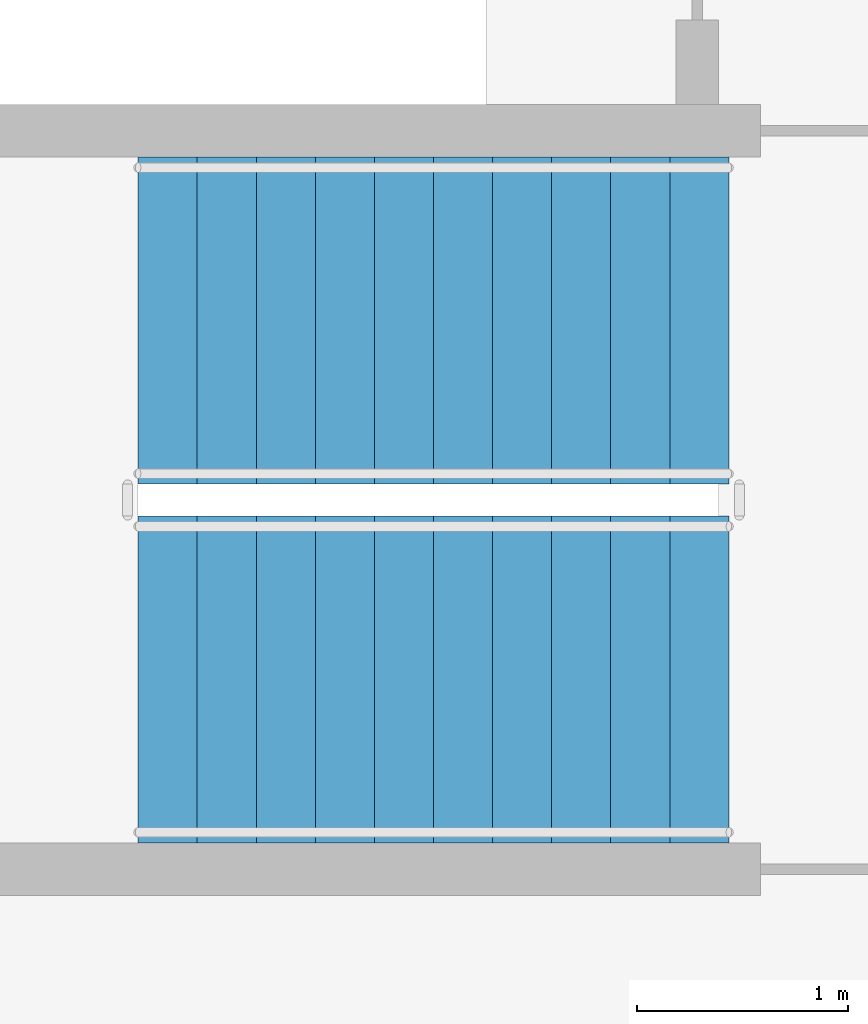
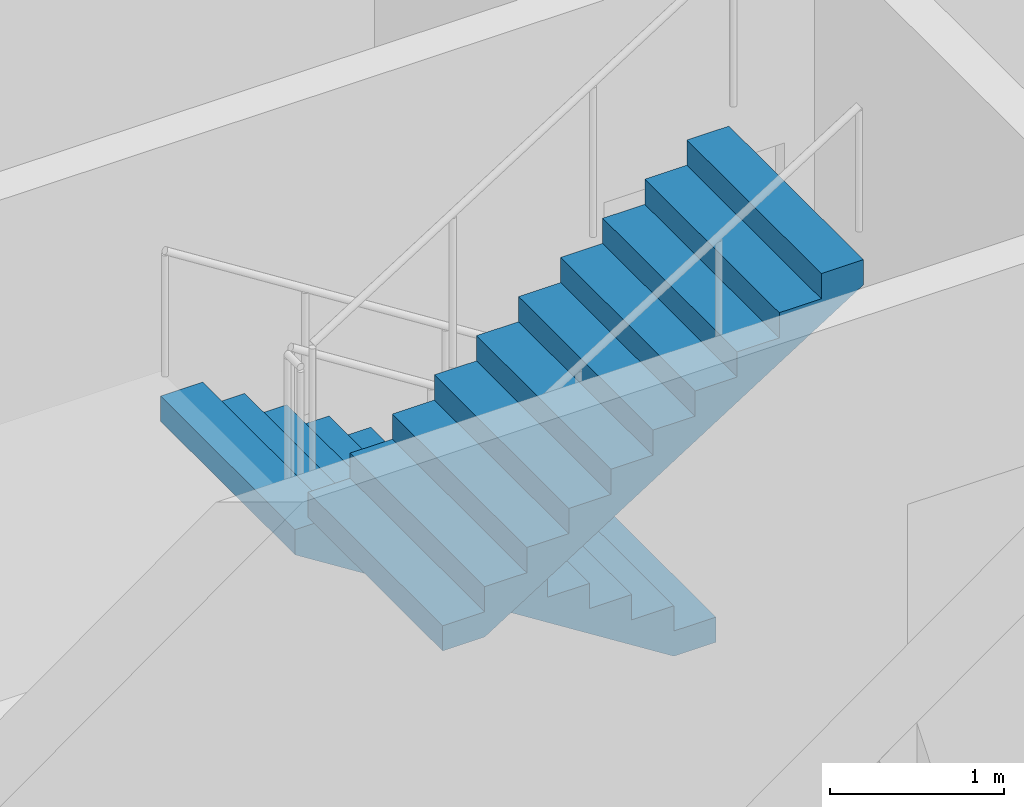
# One storey, part 9 of 14: 2 stair flights, 1 element without a shape of its own.
"""IFC4 building model written with IfcOpenShell, lengths in metres."""

import ifcopenshell
import ifcopenshell.guid

model = None  # the IFC model being written
_history = None  # IfcOwnerHistory: only IFC2X3 demands one
_inside = {}  # id of a spatial element -> (the spatial element, [elements in it])
_under = {}  # id of a project, library or spatial element -> (it, [spatial elements below it])
_declared = {}  # id of a project -> (the project, [libraries it declares])
_typed = {}  # id of a type object -> (the type object, [elements of that type])
_made_of = {}  # id of a material, layer set ... -> (it, [elements and type objects made of it])


def new_model(schema):
    """Start an empty IFC model of exactly this schema.

    Asked for "IFC4X3", IfcOpenShell would pick the latest addendum, in which some entities
    have other attributes; the version numbers below select the first issue.
    IFC2X3 requires an IfcOwnerHistory on every rooted entity: one is made here for all.
    """
    global model, _history
    if schema == "IFC4X3":
        model = ifcopenshell.file(schema_version=(4, 3, 0, 0))
    else:
        model = ifcopenshell.file(schema=schema)
    _inside.clear()
    _under.clear()
    _declared.clear()
    _typed.clear()
    _made_of.clear()
    _history = None
    if model.schema == "IFC2X3":
        org = make("IfcOrganization", Name="unknown")
        user = make(
            "IfcPersonAndOrganization",
            ThePerson=make("IfcPerson", FamilyName="unknown"),
            TheOrganization=org,
        )
        app = make(
            "IfcApplication",
            ApplicationDeveloper=org,
            Version="unknown",
            ApplicationFullName="unknown",
            ApplicationIdentifier="unknown",
        )
        _history = make(
            "IfcOwnerHistory",
            OwningUser=user,
            OwningApplication=app,
            ChangeAction="ADDED",
            CreationDate=0,
        )
    return model


def make(cls, **values):
    """One entity of the class cls with the attributes given. An attribute that is None is left unset."""
    return model.create_entity(
        cls, **{name: value for name, value in values.items() if value is not None}
    )


def rooted(cls, **values):
    """An entity with a GlobalId (a new one), such as an element, a storey or a relation."""
    return make(cls, GlobalId=ifcopenshell.guid.new(), OwnerHistory=_history, **values)


def si_unit(unit_type, name, prefix=None):
    """IfcSIUnit, for example si_unit("LENGTHUNIT", "METRE", prefix="MILLI")."""
    return make("IfcSIUnit", UnitType=unit_type, Prefix=prefix, Name=name)


def assignment(units):
    """IfcUnitAssignment: the units of a project."""
    return None if units is None else make("IfcUnitAssignment", Units=units)


def point(xyz):
    """IfcCartesianPoint."""
    return None if xyz is None else make("IfcCartesianPoint", Coordinates=xyz)


def direction(xyz):
    """IfcDirection."""
    return None if xyz is None else make("IfcDirection", DirectionRatios=xyz)


def frame(location, z_axis=None, x_axis=None):
    """IfcAxis2Placement3D, a coordinate frame: its origin and axes. An axis left out is left unset."""
    return make(
        "IfcAxis2Placement3D",
        Location=point(location),
        Axis=direction(z_axis),
        RefDirection=direction(x_axis),
    )


def origin():
    """The frame at (0, 0, 0) with its axes left unset."""
    return frame((0.0, 0.0, 0.0))


def place(relative_to, where):
    """IfcLocalPlacement: puts the frame where relative to a parent placement (None: the world)."""
    return make(
        "IfcLocalPlacement", PlacementRelTo=relative_to, RelativePlacement=where
    )


def context(
    kind, dimensions, precision=None, world=None, true_north=None, identifier=None
):
    """IfcGeometricRepresentationContext, for example the 3D "Model" context."""
    return make(
        "IfcGeometricRepresentationContext",
        ContextIdentifier=identifier,
        ContextType=kind,
        CoordinateSpaceDimension=dimensions,
        Precision=precision,
        WorldCoordinateSystem=world,
        TrueNorth=true_north,
    )


def subcontext(parent, identifier, kind, view, scale=None):
    """IfcGeometricRepresentationSubContext, for example "Body" below "Model"."""
    return make(
        "IfcGeometricRepresentationSubContext",
        ContextIdentifier=identifier,
        ContextType=kind,
        ParentContext=parent,
        TargetScale=scale,
        TargetView=view,
    )


def project(units=None, contexts=None):
    """IfcProject with its units and contexts."""
    return rooted(
        "IfcProject",
        Name="project",
        RepresentationContexts=contexts,
        UnitsInContext=assignment(units),
    )


def spatial(cls, under=None, at=None, **own):
    """A site, building, storey or space (cls), placed at a placement, below another one or the project."""
    s = rooted(cls, ObjectPlacement=at, **own)
    if under is not None:
        _under.setdefault(under.id(), (under, []))[1].append(s)
    return s


def polyline(points):
    """IfcPolyline through the points."""
    return make("IfcPolyline", Points=[point(p) for p in points])


def outline(outer, holes=None, kind="AREA"):
    """IfcArbitraryClosedProfileDef: a profile drawn as a closed curve; with holes, ...WithVoids."""
    if holes is None:
        return make("IfcArbitraryClosedProfileDef", ProfileType=kind, OuterCurve=outer)
    return make(
        "IfcArbitraryProfileDefWithVoids",
        ProfileType=kind,
        OuterCurve=outer,
        InnerCurves=holes,
    )


def extrude(swept, where, along, depth):
    """IfcExtrudedAreaSolid: the profile swept, set in the frame where, extruded along a direction by depth."""
    return make(
        "IfcExtrudedAreaSolid",
        SweptArea=swept,
        Position=where,
        ExtrudedDirection=direction(along),
        Depth=depth,
    )


def shape(context_of_items, identifier, shape_type, items):
    """IfcShapeRepresentation: the items that make up one representation, for example the "Body"."""
    return make(
        "IfcShapeRepresentation",
        ContextOfItems=context_of_items,
        RepresentationIdentifier=identifier,
        RepresentationType=shape_type,
        Items=items,
    )


def material(Name=None, Category=None):
    """IfcMaterial."""
    return make("IfcMaterial", Name=Name, Category=Category)


def made_of(thing, what):
    """Note that an element or type object is made of a material, layer set ...; save() writes the relation."""
    if what is not None:
        _made_of.setdefault(what.id(), (what, []))[1].append(thing)
    return thing


def type_object(cls, material=None, **own):
    """A type object (cls), such as IfcWallType, which elements share."""
    return made_of(rooted(cls, **own), material)


def element(
    cls,
    number,
    at=None,
    inside=None,
    cuts=None,
    type_object=None,
    material=None,
    context=None,
    identifier="Body",
    shape_type=None,
    held_by="IfcProductDefinitionShape",
    body=None,
    shapes=None,
    **own,
):
    """One element of the class cls, such as IfcWall. Its Tag is "e" and its number.

    at: its placement. inside: the storey or other place that contains it. cuts: it is an
    opening in that element (IfcRelVoidsElement). A single representation is given by context,
    identifier, shape_type and body (its items); several are given by shapes. held_by: the class
    of the entity that holds the representations. save() writes the other relations.
    """
    e = rooted(cls, Tag="e%d" % number, ObjectPlacement=at, **own)
    if body is not None:
        shapes = [shape(context, identifier, shape_type, body)]
    if shapes is not None:
        e.Representation = make(held_by, Representations=shapes)
    if inside is not None:
        _inside.setdefault(inside.id(), (inside, []))[1].append(e)
    if cuts is not None:
        rooted(
            "IfcRelVoidsElement", RelatingBuildingElement=cuts, RelatedOpeningElement=e
        )
    if type_object is not None:
        _typed.setdefault(type_object.id(), (type_object, []))[1].append(e)
    return made_of(e, material)


def aggregate(whole, parts):
    """IfcRelAggregates: a whole, such as a stair, and the parts it consists of."""
    return rooted("IfcRelAggregates", RelatingObject=whole, RelatedObjects=parts)


def save(model, path):
    """Write the relations noted so far, then the file.

    IfcRelAggregates (storeys below a building ...), IfcRelContainedInSpatialStructure (elements
    in a storey), IfcRelDefinesByType, IfcRelAssociatesMaterial and IfcRelDeclares: one each for
    every whole, place, type object, material and project.
    """
    for whole, parts in _under.values():
        aggregate(whole, parts)
    for where, things in _inside.values():
        rooted(
            "IfcRelContainedInSpatialStructure",
            RelatedElements=things,
            RelatingStructure=where,
        )
    for kind, things in _typed.values():
        rooted("IfcRelDefinesByType", RelatedObjects=things, RelatingType=kind)
    for what, things in _made_of.values():
        rooted("IfcRelAssociatesMaterial", RelatedObjects=things, RelatingMaterial=what)
    for by, libraries in _declared.values():
        rooted("IfcRelDeclares", RelatingContext=by, RelatedDefinitions=libraries)
    model.write(path)


model = new_model("IFC4")

# Units and contexts
model_context = context("Model", 3, precision=1e-05, world=origin(), true_north=direction((0.0, 1.0)))
body_context = subcontext(model_context, "Body", "Model", "MODEL_VIEW")
ifc_project = project(units=[si_unit("LENGTHUNIT", "METRE"), si_unit("AREAUNIT", "SQUARE_METRE"), si_unit("VOLUMEUNIT", "CUBIC_METRE"), si_unit("PLANEANGLEUNIT", "RADIAN"), si_unit("MASSUNIT", "GRAM", prefix="KILO")], contexts=[model_context])

# Site, building, storey
site_placement = place(None, origin())
site = spatial("IfcSite", under=ifc_project, at=site_placement, CompositionType="ELEMENT")
building_placement = place(site_placement, origin())
building = spatial("IfcBuilding", under=site, at=building_placement, Name="Dhurran Vertical Campus", CompositionType="ELEMENT")
storey_placement = place(building_placement, frame((0.0, 0.0, 93.0)))
storey = spatial("IfcBuildingStorey", under=building, at=storey_placement, Name="L22", CompositionType="ELEMENT", Elevation=93.0)

# Stair, stair flights
ifc_material_1 = material(Name="Concrete C40/50", Category="concrete")
stair_type = type_object("IfcStairType", Name="co-ST-CORE", PredefinedType="HALF_TURN_STAIR", material=ifc_material_1)
stair_placement = place(storey_placement, origin())
stair = element("IfcStair", 1, at=stair_placement, inside=storey, type_object=stair_type, Name="L22 Protected exit stair ST2", PredefinedType="HALF_TURN_STAIR")
ifc_material_2 = material(Name="Concrete C40/50", Category="concrete")
stair_flight_type = type_object("IfcStairFlightType", Name="co-SFL-RC", PredefinedType="STRAIGHT", material=ifc_material_2)
stair_flight_1_placement = place(storey_placement, frame((11.10009765625, 9.875, 0.0), z_axis=(0.0, 0.0, 1.0), x_axis=(-1.0, 0.0, 0.0)))
stair_flight_1 = element("IfcStairFlight", 2, at=stair_flight_1_placement, type_object=stair_flight_type, Name="ST2 flight 1", NumberOfRisers=11, NumberOfTreads=10, PredefinedType="STRAIGHT", RiserHeight=0.177272727, TreadLength=0.28, context=body_context, shape_type="SweptSolid", body=[
    extrude(outline(polyline([(0.0, 0.0), (0.0, 0.17724609375), (0.280029296875, 0.17724609375), (0.280029296875, 0.3544921875), (0.56005859375, 0.3544921875), (0.56005859375, 0.53173828125), (0.840087890625, 0.53173828125), (0.840087890625, 0.708984375), (1.1201171875, 0.708984375), (1.1201171875, 0.886474609375), (1.39990234375, 0.886474609375), (1.39990234375, 1.063720703125), (1.679931640625, 1.063720703125), (1.679931640625, 1.240966796875), (1.9599609375, 1.240966796875), (1.9599609375, 1.418212890625), (2.239990234375, 1.418212890625), (2.239990234375, 1.595458984375), (2.52001953125, 1.595458984375), (2.52001953125, 1.772705078125), (2.800048828125, 1.772705078125), (2.800048828125, 1.949951171875), (2.800048828125, 1.59521484375), (0.2802734375, 0.0), (0.0, 0.0)])), frame((0.0, 0.77490234375, 0.0), z_axis=(0.0, -1.0, 0.0), x_axis=(1.0, 0.0, 0.0)), (0.0, 0.0, 1.0), 1.550048828125),
])
stair_flight_2_placement = place(storey_placement, frame((8.300048828125, 8.175048828125, 1.949951171875), z_axis=(0.0, 0.0, 1.0), x_axis=(1.0, 0.0, 0.0)))
stair_flight_2 = element("IfcStairFlight", 3, at=stair_flight_2_placement, type_object=stair_flight_type, Name="ST2 flight 2", NumberOfRisers=11, NumberOfTreads=10, PredefinedType="STRAIGHT", RiserHeight=0.177272727, TreadLength=0.28, context=body_context, shape_type="SweptSolid", body=[
    extrude(outline(polyline([(0.0, 0.0), (0.0, 0.17724609375), (0.280029296875, 0.17724609375), (0.280029296875, 0.3544921875), (0.56005859375, 0.3544921875), (0.56005859375, 0.53173828125), (0.840087890625, 0.53173828125), (0.840087890625, 0.708984375), (1.1201171875, 0.708984375), (1.1201171875, 0.886474609375), (1.39990234375, 0.886474609375), (1.39990234375, 1.063720703125), (1.679931640625, 1.063720703125), (1.679931640625, 1.240966796875), (1.9599609375, 1.240966796875), (1.9599609375, 1.418212890625), (2.239990234375, 1.418212890625), (2.239990234375, 1.595458984375), (2.52001953125, 1.595458984375), (2.52001953125, 1.772705078125), (2.800048828125, 1.772705078125), (2.800048828125, 1.949951171875), (2.800048828125, 1.59521484375), (0.2802734375, 0.0), (0.0, 0.0)])), frame((0.0, 0.77490234375, 0.0), z_axis=(0.0, -1.0, 0.0), x_axis=(1.0, 0.0, 0.0)), (0.0, 0.0, 1.0), 1.550048828125),
])
aggregate(stair, [stair_flight_1, stair_flight_2])

save(model, "model.ifc")
